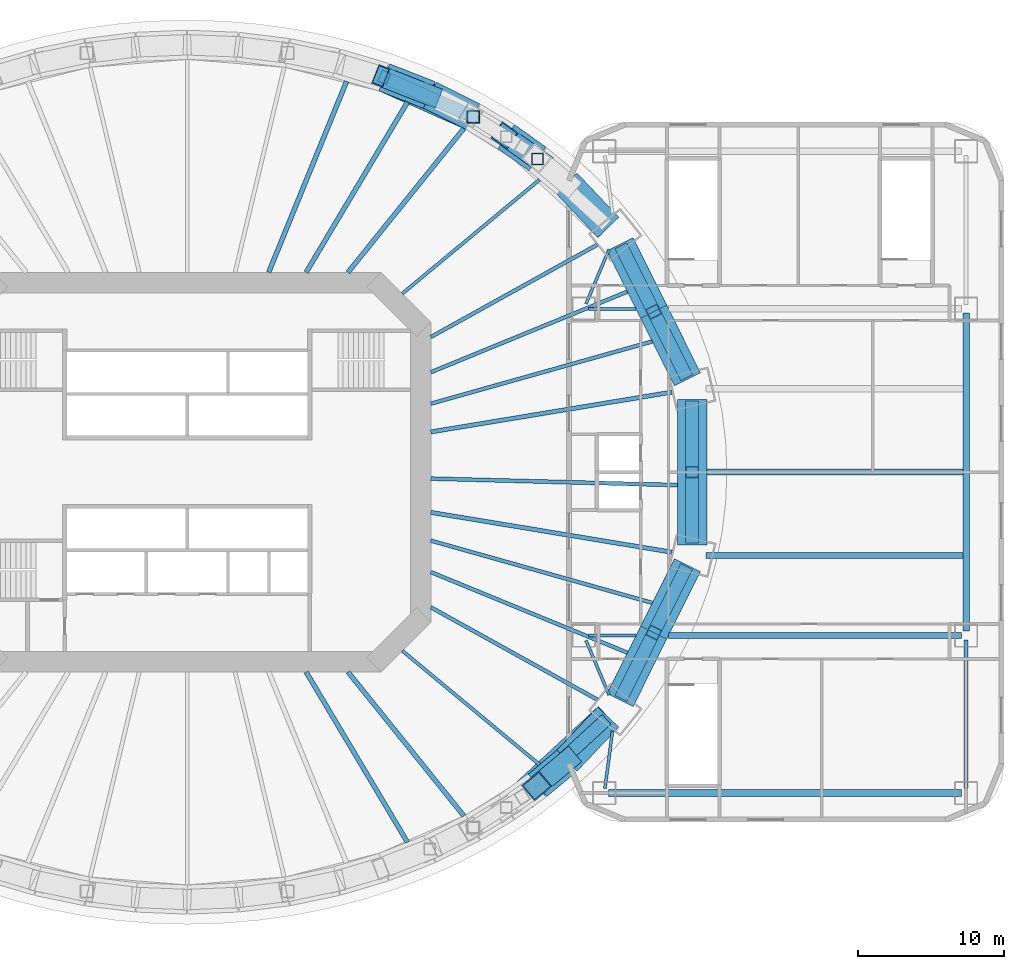
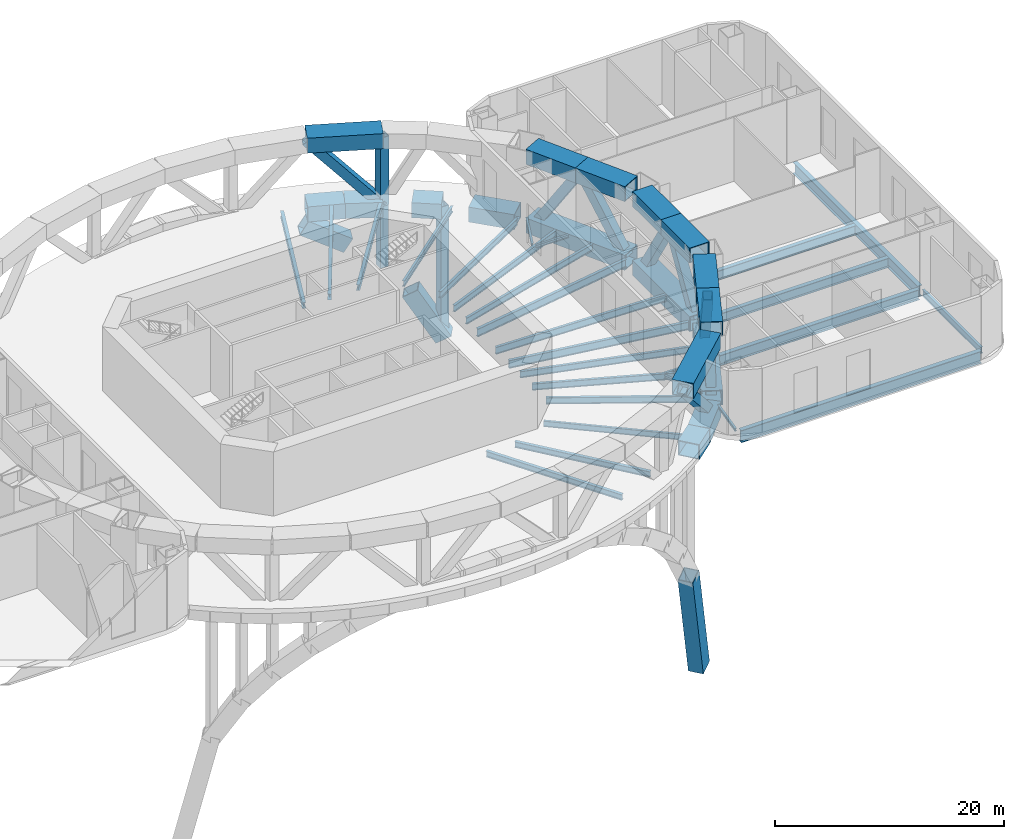
# One storey, part 4 of 13: 44 beams, 14 members.
"""IFC4 building model written with IfcOpenShell, lengths in metres."""

from ifc_helpers import new_model, si_unit, direction, frame, origin, origin_2d, place, context, subcontext, project, spatial, hollow_rectangle, i_section, extrude, material, material_profile, profile_set, type_object, element, save


model = new_model("IFC4")

# Units and contexts
model_context = context("Model", 3, precision=1e-05, world=origin(), true_north=direction((0.0, 1.0)))
body_context = subcontext(model_context, "Body", "Model", "MODEL_VIEW")
ifc_project = project(units=[si_unit("LENGTHUNIT", "METRE"), si_unit("AREAUNIT", "SQUARE_METRE"), si_unit("VOLUMEUNIT", "CUBIC_METRE"), si_unit("PLANEANGLEUNIT", "RADIAN"), si_unit("MASSUNIT", "GRAM", prefix="KILO")], contexts=[model_context])

# Site, building, storey
site_placement = place(None, origin())
site = spatial("IfcSite", under=ifc_project, at=site_placement, CompositionType="ELEMENT")
building_placement = place(site_placement, origin())
building = spatial("IfcBuilding", under=site, at=building_placement, Name="Marenthal Gate Tower", CompositionType="ELEMENT")
storey_placement = place(building_placement, frame((0.0, 0.0, 26.0)))
storey = spatial("IfcBuildingStorey", under=building, at=storey_placement, Name="L03", CompositionType="ELEMENT", Elevation=26.0)

# Beams
ifc_material_1 = material(Name="Steel S460", Category="steel")
ifc_material_profile_1 = material_profile(ifc_material_1, hollow_rectangle(XDim=2.0, YDim=1.60009765625, WallThickness=0.080078125, at=origin_2d()), Name="BOX 1600X2000X80")
ifc_profile_set_1 = profile_set([ifc_material_profile_1], Name="Steel S460")
beam_type_1 = type_object("IfcBeamType", Name="BOX 1600X2000X80 transfer chord", PredefinedType="BEAM", material=ifc_profile_set_1)
beam_1_placement = place(storey_placement, frame((28.866943359375, 16.789306640625, -1.300048828125), z_axis=(-0.687434451688, 0.72624642831, 0.0), x_axis=(-0.72624642831, -0.687434451688, 0.0)))
element("IfcBeam", 1, at=beam_1_placement, inside=storey, type_object=beam_type_1, Name="TR-L03-01", PredefinedType="BEAM", context=body_context, shape_type="SweptSolid", body=[
    extrude(hollow_rectangle(XDim=2.0, YDim=1.60009765625, WallThickness=0.080078125, at=origin_2d()), origin(), (0.0, 0.0, 1.0), 4.17041015625),
])
beam_2_placement = place(storey_placement, frame((24.018310546875, 21.47216796875, -1.300048828125), z_axis=(-0.81490346358, 0.579596708967, 0.0), x_axis=(-0.579596708967, -0.81490346358, 0.0)))
element("IfcBeam", 2, at=beam_2_placement, inside=storey, type_object=beam_type_1, Name="TR-L03-03", PredefinedType="BEAM", context=body_context, shape_type="SweptSolid", body=[
    extrude(hollow_rectangle(XDim=2.0, YDim=1.60009765625, WallThickness=0.080078125, at=origin_2d()), origin(), (0.0, 0.0, 1.0), 2.61865234375),
])
beam_3_placement = place(storey_placement, frame((19.611572265625, 24.362060546875, -1.300048828125), z_axis=(-0.895308250233, 0.445447120391, 0.0), x_axis=(-0.445447120391, -0.895308250233, 0.0)))
element("IfcBeam", 3, at=beam_3_placement, inside=storey, type_object=beam_type_1, Name="TR-L03-05", PredefinedType="BEAM", context=body_context, shape_type="SweptSolid", body=[
    extrude(hollow_rectangle(XDim=2.0, YDim=1.60009765625, WallThickness=0.080078125, at=origin_2d()), origin(), (0.0, 0.0, 1.0), 3.318603515625),
])
beam_4_placement = place(storey_placement, frame((16.640380859375, 25.84033203125, -1.300048828125), z_axis=(-0.930854658045, 0.365389662685, 0.0), x_axis=(-0.365389662685, -0.930854658045, 0.0)))
element("IfcBeam", 4, at=beam_4_placement, inside=storey, type_object=beam_type_1, Name="TR-L03-06", PredefinedType="BEAM", context=body_context, shape_type="SweptSolid", body=[
    extrude(hollow_rectangle(XDim=2.0, YDim=1.60009765625, WallThickness=0.080078125, at=origin_2d()), origin(), (0.0, 0.0, 1.0), 3.3642578125),
])
beam_5_placement = place(storey_placement, frame((19.611572265625, 24.362060546875, 6.02001953125), z_axis=(-0.914079762621, 0.405534446832, 0.0), x_axis=(-0.405534446832, -0.914079762621, 0.0)))
element("IfcBeam", 5, at=beam_5_placement, inside=storey, type_object=beam_type_1, Name="TR-L03-23", PredefinedType="BEAM", context=body_context, shape_type="SweptSolid", body=[
    extrude(hollow_rectangle(XDim=2.0, YDim=1.60009765625, WallThickness=0.080078125, at=origin_2d()), origin(), (0.0, 0.0, 1.0), 6.676513671875),
])
beam_6_placement = place(storey_placement, frame((28.866943359375, -16.789306640625, -1.300048828125), z_axis=(-0.687434451688, -0.72624642831, 0.0), x_axis=(0.72624642831, -0.687434451688, 0.0)))
element("IfcBeam", 6, at=beam_6_placement, inside=storey, type_object=beam_type_1, Name="TR-L03-71", PredefinedType="BEAM", context=body_context, shape_type="SweptSolid", body=[
    extrude(hollow_rectangle(XDim=2.0, YDim=1.60009765625, WallThickness=0.080078125, at=origin_2d()), origin(), (0.0, 0.0, 1.0), 4.17041015625),
])
beam_7_placement = place(storey_placement, frame((26.0, -19.818115234375, -1.300048828125), z_axis=(-0.767717124374, -0.640788902013, 0.0), x_axis=(0.640788902013, -0.767717124374, 0.0)))
element("IfcBeam", 7, at=beam_7_placement, inside=storey, type_object=beam_type_1, Name="TR-L03-72", PredefinedType="BEAM", context=body_context, shape_type="SweptSolid", body=[
    extrude(hollow_rectangle(XDim=2.0, YDim=1.60009765625, WallThickness=0.080078125, at=origin_2d()), origin(), (0.0, 0.0, 1.0), 2.581298828125),
])
beam_8_placement = place(storey_placement, frame((28.866943359375, -16.789306640625, 6.02001953125), z_axis=(-0.73383134461, -0.679331699295, 0.0), x_axis=(0.679331699295, -0.73383134461, 0.0)))
element("IfcBeam", 8, at=beam_8_placement, inside=storey, type_object=beam_type_1, Name="TR-L03-91", PredefinedType="BEAM", context=body_context, shape_type="SweptSolid", body=[
    extrude(hollow_rectangle(XDim=2.0, YDim=1.60009765625, WallThickness=0.080078125, at=origin_2d()), origin(), (0.0, 0.0, 1.0), 8.03662109375),
])
beam_9_placement = place(storey_placement, frame((34.294921875, 6.370849609375, -1.300048828125), z_axis=(-0.446514857693, 0.894776218872, 0.0), x_axis=(-0.894776218872, -0.446514857693, 0.0)))
element("IfcBeam", 9, at=beam_9_placement, inside=storey, type_object=beam_type_1, Name="TR-L03-141", PredefinedType="BEAM", context=body_context, shape_type="SweptSolid", body=[
    extrude(hollow_rectangle(XDim=2.0, YDim=1.60009765625, WallThickness=0.080078125, at=origin_2d()), origin(), (0.0, 0.0, 1.0), 10.34423828125),
])
for number, where, z_axis, x_axis, name in (
    (10, (34.294921875, 6.370849609375, 6.02001953125), (-0.446495961537, 0.89478564826, 0.0), (-0.89478564826, -0.446495961537, 0.0), "TR-L03-142"),
    (11, (31.985595703125, 10.998779296875, 6.02001953125), (-0.446533753251, 0.894766789285, 0.0), (-0.894766789285, -0.446533753251, 0.0), "TR-L03-143"),
):
    element("IfcBeam", number, at=place(storey_placement, frame(where, z_axis=z_axis, x_axis=x_axis)), inside=storey, type_object=beam_type_1, Name=name, PredefinedType="BEAM", context=body_context, shape_type="SweptSolid", body=[
        extrude(hollow_rectangle(XDim=2.0, YDim=1.60009765625, WallThickness=0.080078125, at=origin_2d()), origin(), (0.0, 0.0, 1.0), 5.172119140625),
    ])
beam_10_placement = place(storey_placement, frame((29.676025390625, -15.626708984375, -1.300048828125), z_axis=(0.446514857693, 0.894776218872, 0.0), x_axis=(-0.894776218872, 0.446514857693, 0.0)))
element("IfcBeam", 12, at=beam_10_placement, inside=storey, type_object=beam_type_1, Name="TR-L03-161", PredefinedType="BEAM", context=body_context, shape_type="SweptSolid", body=[
    extrude(hollow_rectangle(XDim=2.0, YDim=1.60009765625, WallThickness=0.080078125, at=origin_2d()), origin(), (0.0, 0.0, 1.0), 10.34423828125),
])
for number, where, z_axis, x_axis, name in (
    (13, (29.676025390625, -15.626708984375, 6.02001953125), (0.446533753251, 0.894766789285, 0.0), (-0.894766789285, 0.446533753251, 0.0), "TR-L03-162"),
    (14, (31.985595703125, -10.998779296875, 6.02001953125), (0.446495961537, 0.89478564826, 0.0), (-0.89478564826, 0.446495961537, 0.0), "TR-L03-163"),
):
    element("IfcBeam", number, at=place(storey_placement, frame(where, z_axis=z_axis, x_axis=x_axis)), inside=storey, type_object=beam_type_1, Name=name, PredefinedType="BEAM", context=body_context, shape_type="SweptSolid", body=[
        extrude(hollow_rectangle(XDim=2.0, YDim=1.60009765625, WallThickness=0.080078125, at=origin_2d()), origin(), (0.0, 0.0, 1.0), 5.172119140625),
    ])
beam_11_placement = place(storey_placement, frame((34.62158203125, -4.982177734375, -1.300048828125), z_axis=(0.0, 1.0, 0.0), x_axis=(-1.0, 0.0, 0.0)))
element("IfcBeam", 15, at=beam_11_placement, inside=storey, type_object=beam_type_1, Name="TR-L03-166", PredefinedType="BEAM", context=body_context, shape_type="SweptSolid", body=[
    extrude(hollow_rectangle(XDim=2.0, YDim=1.60009765625, WallThickness=0.080078125, at=origin_2d()), origin(), (0.0, 0.0, 1.0), 9.96435546875),
])
for number, where, z_axis, x_axis, name in (
    (16, (34.62158203125, -4.982177734375, 6.02001953125), (0.0, 1.0, 0.0), (-1.0, 0.0, 0.0), "TR-L03-167"),
    (17, (34.62158203125, 0.0, 6.02001953125), (0.0, 1.0, 0.0), (-1.0, 0.0, 0.0), "TR-L03-168"),
):
    element("IfcBeam", number, at=place(storey_placement, frame(where, z_axis=z_axis, x_axis=x_axis)), inside=storey, type_object=beam_type_1, Name=name, PredefinedType="BEAM", context=body_context, shape_type="SweptSolid", body=[
        extrude(hollow_rectangle(XDim=2.0, YDim=1.60009765625, WallThickness=0.080078125, at=origin_2d()), origin(), (0.0, 0.0, 1.0), 4.982177734375),
    ])
ifc_material_2 = material(Name="Steel S355", Category="steel")
ifc_material_profile_2 = material_profile(ifc_material_2, i_section(OverallWidth=0.419921875, OverallDepth=1.0, WebThickness=0.02001953125, FlangeThickness=0.035888671875, at=origin_2d()), Name="PLATE GIRDER 1000X420X20X36")
ifc_profile_set_2 = profile_set([ifc_material_profile_2], Name="Steel S355")
beam_type_2 = type_object("IfcBeamType", Name="PLATE GIRDER 1000X420X20X36 beam", PredefinedType="BEAM", material=ifc_profile_set_2)
beam_12_placement = place(storey_placement, frame((35.561279296875, -5.716064453125, -1.0), z_axis=(1.0, 0.0, 0.0), x_axis=(0.0, 1.0, 0.0)))
element("IfcBeam", 18, at=beam_12_placement, inside=storey, type_object=beam_type_2, Name="BM-L03-107", PredefinedType="BEAM", context=body_context, shape_type="SweptSolid", body=[
    extrude(i_section(OverallWidth=0.419921875, OverallDepth=1.0, WebThickness=0.02001953125, FlangeThickness=0.035888671875, at=origin_2d()), origin(), (0.0, 0.0, 1.0), 17.61376953125),
])
beam_13_placement = place(storey_placement, frame((35.62158203125, 0.0, -1.0), z_axis=(1.0, 0.0, 0.0), x_axis=(0.0, 1.0, 0.0)))
element("IfcBeam", 19, at=beam_13_placement, inside=storey, type_object=beam_type_2, Name="BM-L03-108", PredefinedType="BEAM", context=body_context, shape_type="SweptSolid", body=[
    extrude(i_section(OverallWidth=0.419921875, OverallDepth=1.0, WebThickness=0.02001953125, FlangeThickness=0.035888671875, at=origin_2d()), origin(), (0.0, 0.0, 1.0), 17.553466796875),
])
ifc_material_3 = material(Name="Steel S355", Category="steel")
ifc_material_profile_3 = material_profile(ifc_material_3, i_section(OverallWidth=0.429931640625, OverallDepth=1.10009765625, WebThickness=0.02001953125, FlangeThickness=0.0400390625, at=origin_2d()), Name="PLATE GIRDER 1100X430X20X40")
ifc_profile_set_3 = profile_set([ifc_material_profile_3], Name="Steel S355")
beam_type_3 = type_object("IfcBeamType", Name="PLATE GIRDER 1100X430X20X40 beam", PredefinedType="BEAM", material=ifc_profile_set_3)
beam_14_placement = place(storey_placement, frame((33.002685546875, -11.199951171875, -1.050048828125), z_axis=(1.0, 0.0, 0.0), x_axis=(0.0, 1.0, 0.0)))
element("IfcBeam", 20, at=beam_14_placement, inside=storey, type_object=beam_type_3, Name="BM-L03-106", PredefinedType="BEAM", context=body_context, shape_type="SweptSolid", body=[
    extrude(i_section(OverallWidth=0.429931640625, OverallDepth=1.10009765625, WebThickness=0.02001953125, FlangeThickness=0.0400390625, at=origin_2d()), origin(), (0.0, 0.0, 1.0), 20.097412109375),
])
ifc_material_4 = material(Name="Steel S355", Category="steel")
ifc_material_profile_4 = material_profile(ifc_material_4, i_section(OverallWidth=0.449951171875, OverallDepth=1.199951171875, WebThickness=0.02197265625, FlangeThickness=0.0400390625, at=origin_2d()), Name="PLATE GIRDER 1200X450X22X40")
ifc_profile_set_4 = profile_set([ifc_material_profile_4], Name="Steel S355")
beam_type_4 = type_object("IfcBeamType", Name="PLATE GIRDER 1200X450X22X40 beam", PredefinedType="BEAM", material=ifc_profile_set_4)
beam_15_placement = place(storey_placement, frame((53.39990234375, -10.89990234375, -1.10009765625), z_axis=(0.0, 1.0, 0.0), x_axis=(-1.0, 0.0, 0.0)))
element("IfcBeam", 21, at=beam_15_placement, inside=storey, type_object=beam_type_4, Name="BM-L03-102", PredefinedType="BEAM", context=body_context, shape_type="SweptSolid", body=[
    extrude(i_section(OverallWidth=0.449951171875, OverallDepth=1.199951171875, WebThickness=0.02197265625, FlangeThickness=0.0400390625, at=origin_2d()), origin(), (0.0, 0.0, 1.0), 21.7998046875),
])
ifc_material_5 = material(Name="Steel S355", Category="steel")
ifc_material_profile_5 = material_profile(ifc_material_5, i_section(OverallWidth=0.4599609375, OverallDepth=1.300048828125, WebThickness=0.02490234375, FlangeThickness=0.044921875, at=origin_2d()), Name="PLATE GIRDER 1300X460X25X45")
ifc_profile_set_5 = profile_set([ifc_material_profile_5], Name="Steel S355")
beam_type_5 = type_object("IfcBeamType", Name="PLATE GIRDER 1300X460X25X45 beam", PredefinedType="BEAM", material=ifc_profile_set_5)
beam_16_placement = place(storey_placement, frame((28.89990234375, -22.0, -1.14990234375), z_axis=(1.0, 0.0, 0.0), x_axis=(0.0, 1.0, 0.0)))
element("IfcBeam", 22, at=beam_16_placement, inside=storey, type_object=beam_type_5, Name="BM-L03-104", PredefinedType="BEAM", context=body_context, shape_type="SweptSolid", body=[
    extrude(i_section(OverallWidth=0.4599609375, OverallDepth=1.300048828125, WebThickness=0.02490234375, FlangeThickness=0.044921875, at=origin_2d()), origin(), (0.0, 0.0, 1.0), 24.2001953125),
])
ifc_material_6 = material(Name="Steel S355", Category="steel")
ifc_material_profile_6 = material_profile(ifc_material_6, i_section(OverallWidth=0.202880859375, OverallDepth=0.302001953125, WebThickness=0.007568359375, FlangeThickness=0.01318359375, FilletRadius=0.0126953125, at=origin_2d()), Name="W310X60")
ifc_profile_set_6 = profile_set([ifc_material_profile_6], Name="Steel S355")
beam_type_6 = type_object("IfcBeamType", Name="W310X60 beam", PredefinedType="BEAM", material=ifc_profile_set_6)
for number, where, z_axis, x_axis, name in (
    (23, (27.5, -11.199951171875, -0.65087890625), (1.0, 0.0, 0.0), (0.0, 1.0, 0.0), "BM-L03-105"),
    (24, (27.5, 11.199951171875, -0.65087890625), (1.0, 0.0, 0.0), (0.0, 1.0, 0.0), "BM-L03-110"),
):
    element("IfcBeam", number, at=place(storey_placement, frame(where, z_axis=z_axis, x_axis=x_axis)), inside=storey, type_object=beam_type_6, Name=name, PredefinedType="BEAM", context=body_context, shape_type="SweptSolid", body=[
        extrude(i_section(OverallWidth=0.202880859375, OverallDepth=0.302001953125, WebThickness=0.007568359375, FlangeThickness=0.01318359375, FilletRadius=0.0126953125, at=origin_2d()), origin(), (0.0, 0.0, 1.0), 3.267333984375),
    ])
for number, where, z_axis, x_axis, name in (
    (25, (27.34375, 11.53955078125, -0.65087890625), (0.390030578719, 0.920801904681, 0.0), (-0.920801904681, 0.390030578719, 0.0), "BM-L03-113"),
    (26, (27.34375, -11.53955078125, -0.65087890625), (0.390030578719, -0.920801904681, 0.0), (0.920801904681, 0.390030578719, 0.0), "BM-L03-115"),
):
    element("IfcBeam", number, at=place(storey_placement, frame(where, z_axis=z_axis, x_axis=x_axis)), inside=storey, type_object=beam_type_6, Name=name, PredefinedType="BEAM", context=body_context, shape_type="SweptSolid", body=[
        extrude(i_section(OverallWidth=0.202880859375, OverallDepth=0.302001953125, WebThickness=0.007568359375, FlangeThickness=0.01318359375, FilletRadius=0.0126953125, at=origin_2d()), origin(), (0.0, 0.0, 1.0), 4.057373046875),
    ])
beam_17_placement = place(storey_placement, frame((29.159423828125, -17.73681640625, -0.65087890625), z_axis=(-0.130112868393, -0.991499188844, 0.0), x_axis=(0.991499188844, -0.130112868393, 0.0)))
element("IfcBeam", 27, at=beam_17_placement, inside=storey, type_object=beam_type_6, Name="BM-L03-116", PredefinedType="BEAM", context=body_context, shape_type="SweptSolid", body=[
    extrude(i_section(OverallWidth=0.202880859375, OverallDepth=0.302001953125, WebThickness=0.007568359375, FlangeThickness=0.01318359375, FilletRadius=0.0126953125, at=origin_2d()), origin(), (0.0, 0.0, 1.0), 3.992919921875),
])
ifc_material_7 = material(Name="Steel S355", Category="steel")
ifc_material_profile_7 = material_profile(ifc_material_7, i_section(OverallWidth=0.22900390625, OverallDepth=0.612060546875, WebThickness=0.011962890625, FlangeThickness=0.01953125, FilletRadius=0.0126953125, at=origin_2d()), Name="W610X125")
ifc_profile_set_7 = profile_set([ifc_material_profile_7], Name="Steel S355")
beam_type_7 = type_object("IfcBeamType", Name="W610X125 beam", PredefinedType="BEAM", material=ifc_profile_set_7)
for number, where, z_axis, x_axis, name in (
    (28, (24.15869140625, 20.052490234375, -0.805908203125), (-0.769474855878, -0.638677106346, 0.0), (0.638677106346, -0.769474855878, 0.0), "BM-L03-19"),
    (29, (24.15869140625, -20.052490234375, -0.805908203125), (-0.769474855878, 0.638677106346, 0.0), (-0.638677106346, -0.769474855878, 0.0), "BM-L03-37"),
):
    element("IfcBeam", number, at=place(storey_placement, frame(where, z_axis=z_axis, x_axis=x_axis)), inside=storey, type_object=beam_type_7, Name=name, PredefinedType="BEAM", context=body_context, shape_type="SweptSolid", body=[
        extrude(i_section(OverallWidth=0.22900390625, OverallDepth=0.612060546875, WebThickness=0.011962890625, FlangeThickness=0.01953125, FilletRadius=0.0126953125, at=origin_2d()), origin(), (0.0, 0.0, 1.0), 12.229736328125),
    ])
ifc_material_8 = material(Name="Steel S355", Category="steel")
ifc_material_profile_8 = material_profile(ifc_material_8, i_section(OverallWidth=0.324951171875, OverallDepth=0.612060546875, WebThickness=0.0126953125, FlangeThickness=0.01904296875, FilletRadius=0.0126953125, at=origin_2d()), Name="W610X155")
ifc_profile_set_8 = profile_set([ifc_material_profile_8], Name="Steel S355")
beam_type_8 = type_object("IfcBeamType", Name="W610X155 beam", PredefinedType="BEAM", material=ifc_profile_set_8)
for number, where, z_axis, x_axis, name in (
    (30, (18.969482421875, 23.564697265625, -0.805908203125), (-0.627057343135, -0.77897309865, 0.0), (0.77897309865, -0.627057343135, 0.0), "BM-L03-03"),
    (31, (18.969482421875, -23.564697265625, -0.805908203125), (-0.627057343135, 0.77897309865, 0.0), (-0.77897309865, -0.627057343135, 0.0), "BM-L03-14"),
):
    element("IfcBeam", number, at=place(storey_placement, frame(where, z_axis=z_axis, x_axis=x_axis)), inside=storey, type_object=beam_type_8, Name=name, PredefinedType="BEAM", context=body_context, shape_type="SweptSolid", body=[
        extrude(i_section(OverallWidth=0.324951171875, OverallDepth=0.612060546875, WebThickness=0.0126953125, FlangeThickness=0.01904296875, FilletRadius=0.0126953125, at=origin_2d()), origin(), (0.0, 0.0, 1.0), 12.663818359375),
    ])
beam_18_placement = place(storey_placement, frame((15.101806640625, 25.3701171875, -0.805908203125), z_axis=(-0.511497449149, -0.859284795347, 0.0), x_axis=(0.859284795347, -0.511497449149, 0.0)))
element("IfcBeam", 32, at=beam_18_placement, inside=storey, type_object=beam_type_8, Name="BM-L03-20", PredefinedType="BEAM", context=body_context, shape_type="SweptSolid", body=[
    extrude(i_section(OverallWidth=0.324951171875, OverallDepth=0.612060546875, WebThickness=0.0126953125, FlangeThickness=0.01904296875, FilletRadius=0.0126953125, at=origin_2d()), origin(), (0.0, 0.0, 1.0), 13.581298828125),
])
beam_19_placement = place(storey_placement, frame((10.929931640625, 26.79248046875, -0.805908203125), z_axis=(-0.377725731398, -0.925917529719, 0.0), x_axis=(0.925917529719, -0.377725731398, 0.0)))
element("IfcBeam", 33, at=beam_19_placement, inside=storey, type_object=beam_type_8, Name="BM-L03-21", PredefinedType="BEAM", context=body_context, shape_type="SweptSolid", body=[
    extrude(i_section(OverallWidth=0.324951171875, OverallDepth=0.612060546875, WebThickness=0.0126953125, FlangeThickness=0.01904296875, FilletRadius=0.0126953125, at=origin_2d()), origin(), (0.0, 0.0, 1.0), 14.14013671875),
])
beam_20_placement = place(storey_placement, frame((15.101806640625, -25.3701171875, -0.805908203125), z_axis=(-0.511497449149, 0.859284795347, 0.0), x_axis=(-0.859284795347, -0.511497449149, 0.0)))
element("IfcBeam", 34, at=beam_20_placement, inside=storey, type_object=beam_type_8, Name="BM-L03-36", PredefinedType="BEAM", context=body_context, shape_type="SweptSolid", body=[
    extrude(i_section(OverallWidth=0.324951171875, OverallDepth=0.612060546875, WebThickness=0.0126953125, FlangeThickness=0.01904296875, FilletRadius=0.0126953125, at=origin_2d()), origin(), (0.0, 0.0, 1.0), 13.581298828125),
])
ifc_material_9 = material(Name="Steel S355", Category="steel")
ifc_material_profile_9 = material_profile(ifc_material_9, i_section(OverallWidth=0.25390625, OverallDepth=0.68310546875, WebThickness=0.012451171875, FlangeThickness=0.018798828125, FilletRadius=0.01513671875, at=origin_2d()), Name="W690X140")
ifc_profile_set_9 = profile_set([ifc_material_profile_9], Name="Steel S355")
beam_type_9 = type_object("IfcBeamType", Name="W690X140 beam", PredefinedType="BEAM", material=ifc_profile_set_9)
beam_21_placement = place(storey_placement, frame((53.39990234375, -21.699951171875, -0.841552734375), z_axis=(0.0, 1.0, 0.0), x_axis=(-1.0, 0.0, 0.0)))
element("IfcBeam", 35, at=beam_21_placement, inside=storey, type_object=beam_type_9, Name="BM-L03-101", PredefinedType="BEAM", context=body_context, shape_type="SweptSolid", body=[
    extrude(i_section(OverallWidth=0.25390625, OverallDepth=0.68310546875, WebThickness=0.012451171875, FlangeThickness=0.018798828125, FilletRadius=0.01513671875, at=origin_2d()), origin(), (0.0, 0.0, 1.0), 10.199951171875),
])
ifc_material_10 = material(Name="Steel S355", Category="steel")
ifc_material_profile_10 = material_profile(ifc_material_10, i_section(OverallWidth=0.257080078125, OverallDepth=0.693115234375, WebThickness=0.014404296875, FlangeThickness=0.023681640625, FilletRadius=0.015380859375, at=origin_2d()), Name="W690X170")
ifc_profile_set_10 = profile_set([ifc_material_profile_10], Name="Steel S355")
beam_type_10 = type_object("IfcBeamType", Name="W690X170 beam", PredefinedType="BEAM", material=ifc_profile_set_10)
for number, where, z_axis, x_axis, name in (
    (36, (28.1083984375, 15.589111328125, -0.846435546875), (-0.874511030904, -0.485005625562, 0.0), (0.485005625562, -0.874511030904, 0.0), "BM-L03-02"),
    (37, (28.1083984375, -15.589111328125, -0.846435546875), (-0.874511030904, 0.485005625562, 0.0), (-0.485005625562, -0.874511030904, 0.0), "BM-L03-15"),
):
    element("IfcBeam", number, at=place(storey_placement, frame(where, z_axis=z_axis, x_axis=x_axis)), inside=storey, type_object=beam_type_10, Name=name, PredefinedType="BEAM", context=body_context, shape_type="SweptSolid", body=[
        extrude(i_section(OverallWidth=0.257080078125, OverallDepth=0.693115234375, WebThickness=0.014404296875, FlangeThickness=0.023681640625, FilletRadius=0.015380859375, at=origin_2d()), origin(), (0.0, 0.0, 1.0), 13.04541015625),
    ])
beam_22_placement = place(storey_placement, frame((31.884521484375, 8.961181640625, -0.846435546875), z_axis=(-0.962701855146, -0.27056448048, 0.0), x_axis=(0.27056448048, -0.962701855146, 0.0)))
element("IfcBeam", 38, at=beam_22_placement, inside=storey, type_object=beam_type_10, Name="BM-L03-17", PredefinedType="BEAM", context=body_context, shape_type="SweptSolid", body=[
    extrude(i_section(OverallWidth=0.257080078125, OverallDepth=0.693115234375, WebThickness=0.014404296875, FlangeThickness=0.023681640625, FilletRadius=0.015380859375, at=origin_2d()), origin(), (0.0, 0.0, 1.0), 15.77294921875),
])
for number, where, z_axis, x_axis, name in (
    (39, (30.18017578125, 12.376953125, -0.846435546875), (-0.925223376973, -0.379422854746, 0.0), (0.379422854746, -0.925223376973, 0.0), "BM-L03-18"),
    (40, (30.18017578125, -12.376953125, -0.846435546875), (-0.925223376973, 0.379422854746, 0.0), (-0.379422854746, -0.925223376973, 0.0), "BM-L03-38"),
):
    element("IfcBeam", number, at=place(storey_placement, frame(where, z_axis=z_axis, x_axis=x_axis)), inside=storey, type_object=beam_type_10, Name=name, PredefinedType="BEAM", context=body_context, shape_type="SweptSolid", body=[
        extrude(i_section(OverallWidth=0.257080078125, OverallDepth=0.693115234375, WebThickness=0.014404296875, FlangeThickness=0.023681640625, FilletRadius=0.015380859375, at=origin_2d()), origin(), (0.0, 0.0, 1.0), 14.569580078125),
    ])
beam_23_placement = place(storey_placement, frame((31.884521484375, -8.961181640625, -0.846435546875), z_axis=(-0.962701855146, 0.27056448048, 0.0), x_axis=(-0.27056448048, -0.962701855146, 0.0)))
element("IfcBeam", 41, at=beam_23_placement, inside=storey, type_object=beam_type_10, Name="BM-L03-39", PredefinedType="BEAM", context=body_context, shape_type="SweptSolid", body=[
    extrude(i_section(OverallWidth=0.257080078125, OverallDepth=0.693115234375, WebThickness=0.014404296875, FlangeThickness=0.023681640625, FilletRadius=0.015380859375, at=origin_2d()), origin(), (0.0, 0.0, 1.0), 15.77294921875),
])
ifc_material_11 = material(Name="Steel S355", Category="steel")
ifc_material_profile_11 = material_profile(ifc_material_11, i_section(OverallWidth=0.26708984375, OverallDepth=0.761962890625, WebThickness=0.014404296875, FlangeThickness=0.021484375, FilletRadius=0.0166015625, at=origin_2d()), Name="W760X173")
ifc_profile_set_11 = profile_set([ifc_material_profile_11], Name="Steel S355")
beam_type_11 = type_object("IfcBeamType", Name="W760X173 beam", PredefinedType="BEAM", material=ifc_profile_set_11)
beam_24_placement = place(storey_placement, frame((33.62158203125, -0.88818359375, -0.881103515625), z_axis=(-0.999651249269, 0.026407950216, 0.0), x_axis=(-0.026407950216, -0.999651249269, 0.0)))
element("IfcBeam", 42, at=beam_24_placement, inside=storey, type_object=beam_type_11, Name="BM-L03-40", PredefinedType="BEAM", context=body_context, shape_type="SweptSolid", body=[
    extrude(i_section(OverallWidth=0.26708984375, OverallDepth=0.761962890625, WebThickness=0.014404296875, FlangeThickness=0.021484375, FilletRadius=0.0166015625, at=origin_2d()), origin(), (0.0, 0.0, 1.0), 16.927490234375),
])
ifc_material_12 = material(Name="Steel S355", Category="steel")
ifc_material_profile_12 = material_profile(ifc_material_12, i_section(OverallWidth=0.2919921875, OverallDepth=0.841064453125, WebThickness=0.0146484375, FlangeThickness=0.021728515625, FilletRadius=0.017822265625, at=origin_2d()), Name="W840X193")
ifc_profile_set_12 = profile_set([ifc_material_profile_12], Name="Steel S355")
beam_type_12 = type_object("IfcBeamType", Name="W840X193 beam", PredefinedType="BEAM", material=ifc_profile_set_12)
for number, where, z_axis, x_axis, name in (
    (43, (33.23681640625, 5.487548828125, -0.92041015625), (-0.986641210425, -0.162908323576, 0.0), (0.162908323576, -0.986641210425, 0.0), "BM-L03-01"),
    (44, (33.23681640625, -5.487548828125, -0.92041015625), (-0.986641210425, 0.162908323576, 0.0), (-0.162908323576, -0.986641210425, 0.0), "BM-L03-16"),
):
    element("IfcBeam", number, at=place(storey_placement, frame(where, z_axis=z_axis, x_axis=x_axis)), inside=storey, type_object=beam_type_12, Name=name, PredefinedType="BEAM", context=body_context, shape_type="SweptSolid", body=[
        extrude(i_section(OverallWidth=0.2919921875, OverallDepth=0.841064453125, WebThickness=0.0146484375, FlangeThickness=0.021728515625, FilletRadius=0.017822265625, at=origin_2d()), origin(), (0.0, 0.0, 1.0), 16.7607421875),
    ])

# Members
ifc_material_13 = material(Name="Steel S355", Category="steel")
ifc_material_profile_13 = material_profile(ifc_material_13, hollow_rectangle(XDim=1.39990234375, YDim=1.60009765625, WallThickness=0.080078125, at=origin_2d()), Name="BOX 1600X1400X80")
ifc_profile_set_13 = profile_set([ifc_material_profile_13], Name="Steel S355")
member_type_1 = type_object("IfcMemberType", Name="arch rib BOX 1600X1400X80", PredefinedType="MEMBER", material=ifc_profile_set_13)
member_1_placement = place(storey_placement, frame((24.1474609375, 21.380126953125, -15.12890625), z_axis=(-0.430712471609, 0.306364519554, 0.848897843064), x_axis=(-0.579624424771, -0.814883750119, 0.0)))
element("IfcMember", 45, at=member_1_placement, inside=storey, type_object=member_type_1, Name="AR-N-L03-32", PredefinedType="MEMBER", context=body_context, shape_type="SweptSolid", body=[
    extrude(hollow_rectangle(XDim=1.39990234375, YDim=1.60009765625, WallThickness=0.080078125, at=origin_2d()), origin(), (0.0, 0.0, 1.0), 5.554443359375),
])
member_2_placement = place(storey_placement, frame((16.8818359375, 25.745361328125, -5.213134765625), z_axis=(-0.805122250972, 0.316099935492, 0.501855548711), x_axis=(-0.365453963974, -0.930829415208, 0.0)))
element("IfcMember", 46, at=member_2_placement, inside=storey, type_object=member_type_1, Name="AR-N-L03-35", PredefinedType="MEMBER", context=body_context, shape_type="SweptSolid", body=[
    extrude(hollow_rectangle(XDim=1.39990234375, YDim=1.60009765625, WallThickness=0.080078125, at=origin_2d()), origin(), (0.0, 0.0, 1.0), 4.48974609375),
])
member_3_placement = place(storey_placement, frame((26.0, -19.818115234375, -26.0), z_axis=(-0.173504810862, -0.144823403352, 0.974126409892), x_axis=(0.640800619675, -0.767707343865, 0.0)))
element("IfcMember", 47, at=member_3_placement, inside=storey, type_object=member_type_1, Name="AR-S-L03-101", PredefinedType="MEMBER", context=body_context, shape_type="SweptSolid", body=[
    extrude(hollow_rectangle(XDim=1.39990234375, YDim=1.60009765625, WallThickness=0.080078125, at=origin_2d()), origin(), (0.0, 0.0, 1.0), 11.72119140625),
])
ifc_material_14 = material(Name="Steel S355", Category="steel")
ifc_material_profile_14 = material_profile(ifc_material_14, hollow_rectangle(XDim=0.800048828125, YDim=0.800048828125, WallThickness=0.044921875, at=origin_2d()), Name="BOX 800X800X45")
ifc_profile_set_14 = profile_set([ifc_material_profile_14], Name="Steel S355")
member_type_2 = type_object("IfcMemberType", Name="arch strut BOX 800X800X45", PredefinedType="POST", material=ifc_profile_set_14)
member_4_placement = place(storey_placement, frame((24.018310546875, 21.47216796875, -15.024169921875), z_axis=(0.0, 0.0, 1.0), x_axis=(1.0, 0.0, 0.0)))
element("IfcMember", 48, at=member_4_placement, inside=storey, type_object=member_type_2, Name="AS-N-L03-49", PredefinedType="POST", context=body_context, shape_type="SweptSolid", body=[
    extrude(hollow_rectangle(XDim=0.800048828125, YDim=0.800048828125, WallThickness=0.044921875, at=origin_2d()), origin(), (0.0, 0.0, 1.0), 13.874267578125),
])
member_5_placement = place(storey_placement, frame((19.611572265625, 24.362060546875, -7.87890625), z_axis=(0.0, 0.0, 1.0), x_axis=(1.0, 0.0, 0.0)))
element("IfcMember", 49, at=member_5_placement, inside=storey, type_object=member_type_2, Name="AS-N-L03-51", PredefinedType="POST", context=body_context, shape_type="SweptSolid", body=[
    extrude(hollow_rectangle(XDim=0.800048828125, YDim=0.800048828125, WallThickness=0.044921875, at=origin_2d()), origin(), (0.0, 0.0, 1.0), 6.72900390625),
])
ifc_material_15 = material(Name="Steel S355", Category="steel")
ifc_material_profile_15 = material_profile(ifc_material_15, hollow_rectangle(XDim=0.89990234375, YDim=0.89990234375, WallThickness=0.050048828125, at=origin_2d()), Name="BOX 900X900X50")
ifc_profile_set_15 = profile_set([ifc_material_profile_15], Name="Steel S355")
member_type_3 = type_object("IfcMemberType", Name="transfer truss diagonal BOX 900X900X50", PredefinedType="BRACE", material=ifc_profile_set_15)
member_6_placement = place(storey_placement, frame((19.611572265625, 24.362060546875, -1.300048828125), z_axis=(-0.615977764166, 0.273280529847, 0.738843113293), x_axis=(-0.405534446832, -0.914079762621, 0.0)))
element("IfcMember", 50, at=member_6_placement, inside=storey, type_object=member_type_3, Name="TR-L03-63", PredefinedType="BRACE", context=body_context, shape_type="SweptSolid", body=[
    extrude(hollow_rectangle(XDim=0.89990234375, YDim=0.89990234375, WallThickness=0.050048828125, at=origin_2d()), origin(), (0.0, 0.0, 1.0), 9.907470703125),
])
member_7_placement = place(storey_placement, frame((28.523193359375, -17.152587890625, -1.300048828125), z_axis=(-0.528569539809, -0.485025521979, 0.696681049415), x_axis=(0.676105882834, -0.736804475554, 0.0)))
element("IfcMember", 51, at=member_7_placement, inside=storey, type_object=member_type_3, Name="TR-L03-131", PredefinedType="BRACE", context=body_context, shape_type="SweptSolid", body=[
    extrude(hollow_rectangle(XDim=0.89990234375, YDim=0.89990234375, WallThickness=0.050048828125, at=origin_2d()), origin(), (0.0, 0.0, 1.0), 10.507080078125),
])
for number, where, z_axis, x_axis, name in (
    (52, (34.07177734375, 6.818359375, -1.300048828125), (-0.240233422862, 0.481394604992, 0.842939580768), (-0.894771811668, -0.446523689231, 0.0), "TR-L03-144"),
    (53, (31.985595703125, 10.998779296875, 6.02001953125), (-0.240233422862, 0.481394604992, -0.842939580768), (-0.894771811668, -0.446523689231, 0.0), "TR-L03-145"),
    (54, (29.8994140625, -15.17919921875, -1.300048828125), (0.240233422862, 0.481394604992, 0.842939580768), (-0.894771811668, 0.446523689231, 0.0), "TR-L03-164"),
    (55, (31.985595703125, -10.998779296875, 6.02001953125), (0.240233422862, 0.481394604992, -0.842939580768), (-0.894771811668, 0.446523689231, 0.0), "TR-L03-165"),
):
    element("IfcMember", number, at=place(storey_placement, frame(where, z_axis=z_axis, x_axis=x_axis)), inside=storey, type_object=member_type_3, Name=name, PredefinedType="BRACE", context=body_context, shape_type="SweptSolid", body=[
        extrude(hollow_rectangle(XDim=0.89990234375, YDim=0.89990234375, WallThickness=0.050048828125, at=origin_2d()), origin(), (0.0, 0.0, 1.0), 8.68408203125),
    ])
for number, where, z_axis, x_axis, name in (
    (56, (34.62158203125, -4.482177734375, -1.300048828125), (0.0, 0.522196502881, 0.852825194503), (-1.0, 0.0, 0.0), "TR-L03-169"),
    (57, (34.62158203125, 0.0, 6.02001953125), (0.0, 0.522196502881, -0.852825194503), (-1.0, 0.0, 0.0), "TR-L03-170"),
):
    element("IfcMember", number, at=place(storey_placement, frame(where, z_axis=z_axis, x_axis=x_axis)), inside=storey, type_object=member_type_3, Name=name, PredefinedType="BRACE", context=body_context, shape_type="SweptSolid", body=[
        extrude(hollow_rectangle(XDim=0.89990234375, YDim=0.89990234375, WallThickness=0.050048828125, at=origin_2d()), origin(), (0.0, 0.0, 1.0), 8.583251953125),
    ])
ifc_material_16 = material(Name="Steel S355", Category="steel")
ifc_material_profile_16 = material_profile(ifc_material_16, hollow_rectangle(XDim=0.89990234375, YDim=0.89990234375, WallThickness=0.050048828125, at=origin_2d()), Name="BOX 900X900X50")
ifc_profile_set_16 = profile_set([ifc_material_profile_16], Name="Steel S355")
member_type_4 = type_object("IfcMemberType", Name="transfer truss post BOX 900X900X50", PredefinedType="POST", material=ifc_profile_set_16)
member_8_placement = place(storey_placement, frame((19.611572265625, 24.362060546875, -1.300048828125), z_axis=(0.0, 0.0, 1.0), x_axis=(1.0, 0.0, 0.0)))
element("IfcMember", 58, at=member_8_placement, inside=storey, type_object=member_type_4, Name="TR-L03-52", PredefinedType="POST", context=body_context, shape_type="SweptSolid", body=[
    extrude(hollow_rectangle(XDim=0.89990234375, YDim=0.89990234375, WallThickness=0.050048828125, at=origin_2d()), origin(), (0.0, 0.0, 1.0), 7.320068359375),
])

save(model, "model.ifc")
